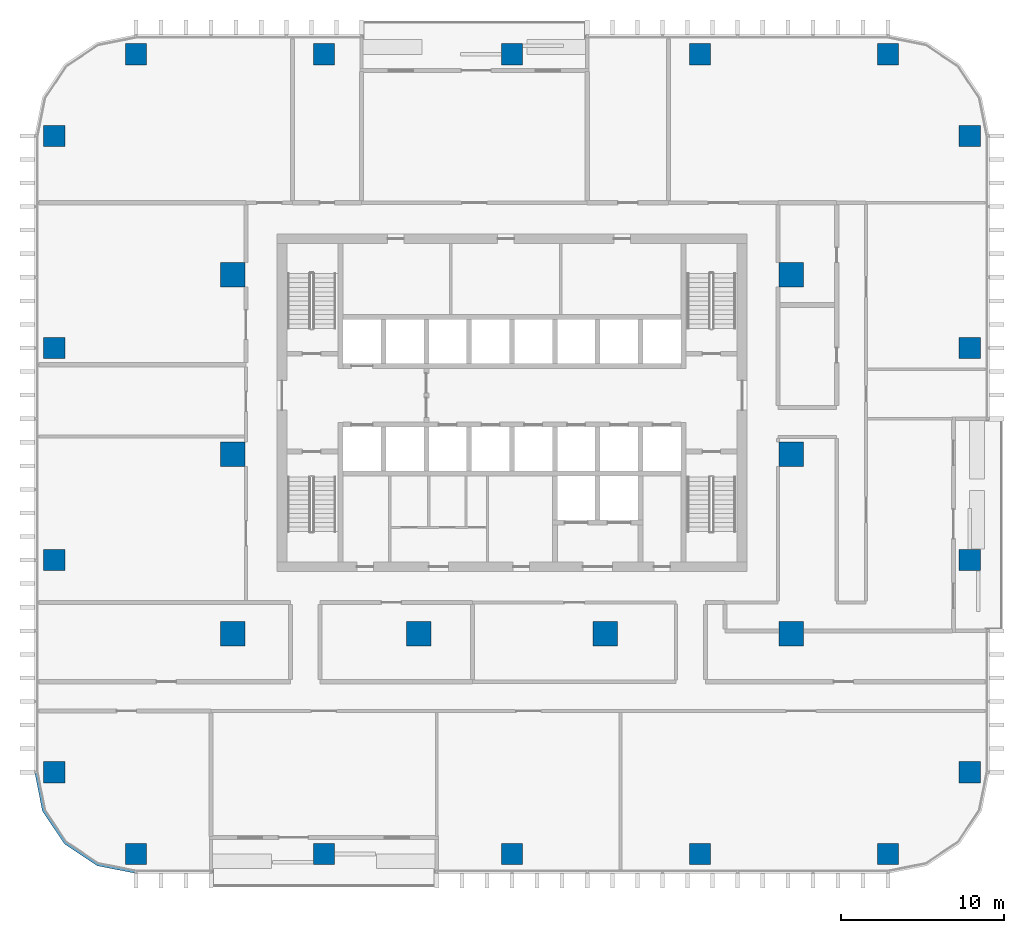
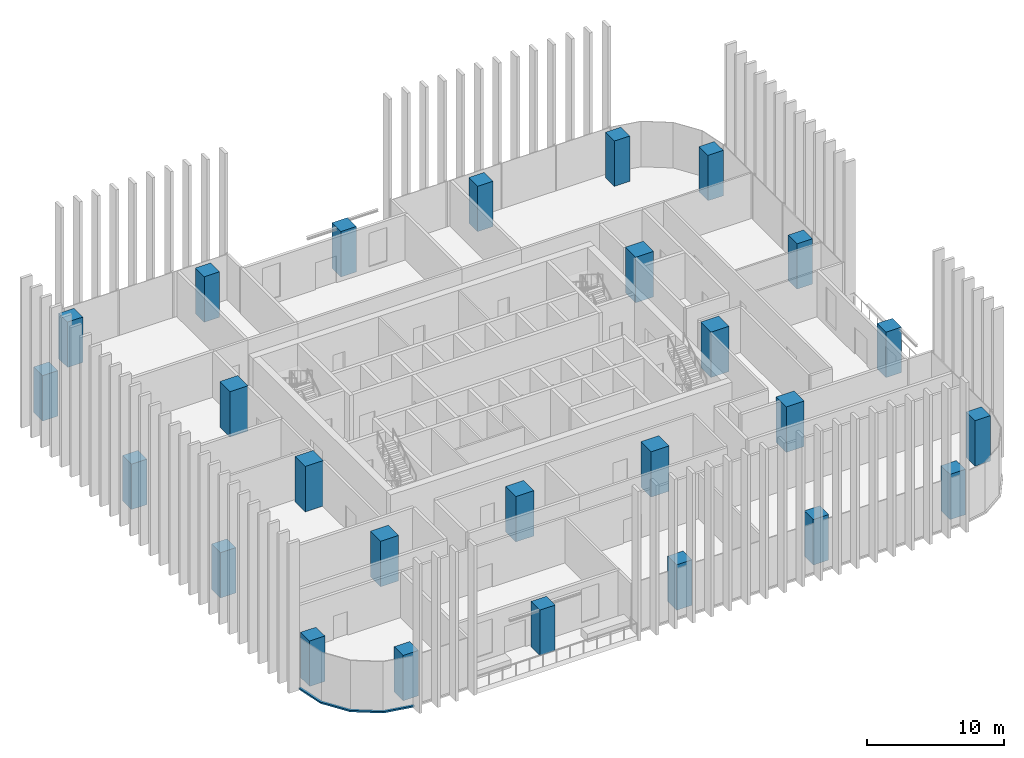
# One storey, part 1 of 17: 26 columns, 1 member, 1 element without a shape of its own.
"""IFC4 building model written with IfcOpenShell, lengths in metres."""

import ifcopenshell
import ifcopenshell.guid

model = None  # the IFC model being written
_history = None  # IfcOwnerHistory: only IFC2X3 demands one
_inside = {}  # id of a spatial element -> (the spatial element, [elements in it])
_under = {}  # id of a project, library or spatial element -> (it, [spatial elements below it])
_declared = {}  # id of a project -> (the project, [libraries it declares])
_typed = {}  # id of a type object -> (the type object, [elements of that type])
_made_of = {}  # id of a material, layer set ... -> (it, [elements and type objects made of it])


def new_model(schema):
    """Start an empty IFC model of exactly this schema.

    Asked for "IFC4X3", IfcOpenShell would pick the latest addendum, in which some entities
    have other attributes; the version numbers below select the first issue.
    IFC2X3 requires an IfcOwnerHistory on every rooted entity: one is made here for all.
    """
    global model, _history
    if schema == "IFC4X3":
        model = ifcopenshell.file(schema_version=(4, 3, 0, 0))
    else:
        model = ifcopenshell.file(schema=schema)
    _inside.clear()
    _under.clear()
    _declared.clear()
    _typed.clear()
    _made_of.clear()
    _history = None
    if model.schema == "IFC2X3":
        org = make("IfcOrganization", Name="unknown")
        user = make(
            "IfcPersonAndOrganization",
            ThePerson=make("IfcPerson", FamilyName="unknown"),
            TheOrganization=org,
        )
        app = make(
            "IfcApplication",
            ApplicationDeveloper=org,
            Version="unknown",
            ApplicationFullName="unknown",
            ApplicationIdentifier="unknown",
        )
        _history = make(
            "IfcOwnerHistory",
            OwningUser=user,
            OwningApplication=app,
            ChangeAction="ADDED",
            CreationDate=0,
        )
    return model


def make(cls, **values):
    """One entity of the class cls with the attributes given. An attribute that is None is left unset."""
    return model.create_entity(
        cls, **{name: value for name, value in values.items() if value is not None}
    )


def rooted(cls, **values):
    """An entity with a GlobalId (a new one), such as an element, a storey or a relation."""
    return make(cls, GlobalId=ifcopenshell.guid.new(), OwnerHistory=_history, **values)


def si_unit(unit_type, name, prefix=None):
    """IfcSIUnit, for example si_unit("LENGTHUNIT", "METRE", prefix="MILLI")."""
    return make("IfcSIUnit", UnitType=unit_type, Prefix=prefix, Name=name)


def assignment(units):
    """IfcUnitAssignment: the units of a project."""
    return None if units is None else make("IfcUnitAssignment", Units=units)


def point(xyz):
    """IfcCartesianPoint."""
    return None if xyz is None else make("IfcCartesianPoint", Coordinates=xyz)


def direction(xyz):
    """IfcDirection."""
    return None if xyz is None else make("IfcDirection", DirectionRatios=xyz)


def frame(location, z_axis=None, x_axis=None):
    """IfcAxis2Placement3D, a coordinate frame: its origin and axes. An axis left out is left unset."""
    return make(
        "IfcAxis2Placement3D",
        Location=point(location),
        Axis=direction(z_axis),
        RefDirection=direction(x_axis),
    )


def frame_2d(location, x_axis=None):
    """IfcAxis2Placement2D, a coordinate frame in the plane: its origin and x axis."""
    return make(
        "IfcAxis2Placement2D", Location=point(location), RefDirection=direction(x_axis)
    )


def origin():
    """The frame at (0, 0, 0) with its axes left unset."""
    return frame((0.0, 0.0, 0.0))


def origin_2d():
    """The frame at (0, 0) in the plane with its x axis left unset."""
    return frame_2d((0.0, 0.0))


def place(relative_to, where):
    """IfcLocalPlacement: puts the frame where relative to a parent placement (None: the world)."""
    return make(
        "IfcLocalPlacement", PlacementRelTo=relative_to, RelativePlacement=where
    )


def context(
    kind, dimensions, precision=None, world=None, true_north=None, identifier=None
):
    """IfcGeometricRepresentationContext, for example the 3D "Model" context."""
    return make(
        "IfcGeometricRepresentationContext",
        ContextIdentifier=identifier,
        ContextType=kind,
        CoordinateSpaceDimension=dimensions,
        Precision=precision,
        WorldCoordinateSystem=world,
        TrueNorth=true_north,
    )


def subcontext(parent, identifier, kind, view, scale=None):
    """IfcGeometricRepresentationSubContext, for example "Body" below "Model"."""
    return make(
        "IfcGeometricRepresentationSubContext",
        ContextIdentifier=identifier,
        ContextType=kind,
        ParentContext=parent,
        TargetScale=scale,
        TargetView=view,
    )


def project(units=None, contexts=None):
    """IfcProject with its units and contexts."""
    return rooted(
        "IfcProject",
        Name="project",
        RepresentationContexts=contexts,
        UnitsInContext=assignment(units),
    )


def spatial(cls, under=None, at=None, **own):
    """A site, building, storey or space (cls), placed at a placement, below another one or the project."""
    s = rooted(cls, ObjectPlacement=at, **own)
    if under is not None:
        _under.setdefault(under.id(), (under, []))[1].append(s)
    return s


def polyline(points):
    """IfcPolyline through the points."""
    return make("IfcPolyline", Points=[point(p) for p in points])


def profile(cls, at=None, kind="AREA", **sizes):
    """A parametric profile (cls). Its sizes go by their IFC names, for example OverallWidth=200.0."""
    return make(cls, ProfileType=kind, Position=at, **sizes)


def rectangle(**sizes):
    """IfcRectangleProfileDef."""
    return profile("IfcRectangleProfileDef", **sizes)


def outline(outer, holes=None, kind="AREA"):
    """IfcArbitraryClosedProfileDef: a profile drawn as a closed curve; with holes, ...WithVoids."""
    if holes is None:
        return make("IfcArbitraryClosedProfileDef", ProfileType=kind, OuterCurve=outer)
    return make(
        "IfcArbitraryProfileDefWithVoids",
        ProfileType=kind,
        OuterCurve=outer,
        InnerCurves=holes,
    )


def extrude(swept, where, along, depth):
    """IfcExtrudedAreaSolid: the profile swept, set in the frame where, extruded along a direction by depth."""
    return make(
        "IfcExtrudedAreaSolid",
        SweptArea=swept,
        Position=where,
        ExtrudedDirection=direction(along),
        Depth=depth,
    )


def shape(context_of_items, identifier, shape_type, items):
    """IfcShapeRepresentation: the items that make up one representation, for example the "Body"."""
    return make(
        "IfcShapeRepresentation",
        ContextOfItems=context_of_items,
        RepresentationIdentifier=identifier,
        RepresentationType=shape_type,
        Items=items,
    )


def material(Name=None, Category=None):
    """IfcMaterial."""
    return make("IfcMaterial", Name=Name, Category=Category)


def material_profile(
    of_material, cross_section, Name=None, Category=None, Priority=None
):
    """IfcMaterialProfile: a cross section and its material."""
    return make(
        "IfcMaterialProfile",
        Name=Name,
        Material=of_material,
        Profile=cross_section,
        Priority=Priority,
        Category=Category,
    )


def profile_set(profiles, Name=None, composite=None):
    """IfcMaterialProfileSet."""
    return make(
        "IfcMaterialProfileSet",
        Name=Name,
        MaterialProfiles=profiles,
        CompositeProfile=composite,
    )


def made_of(thing, what):
    """Note that an element or type object is made of a material, layer set ...; save() writes the relation."""
    if what is not None:
        _made_of.setdefault(what.id(), (what, []))[1].append(thing)
    return thing


def type_object(cls, material=None, **own):
    """A type object (cls), such as IfcWallType, which elements share."""
    return made_of(rooted(cls, **own), material)


def element(
    cls,
    number,
    at=None,
    inside=None,
    cuts=None,
    type_object=None,
    material=None,
    context=None,
    identifier="Body",
    shape_type=None,
    held_by="IfcProductDefinitionShape",
    body=None,
    shapes=None,
    **own,
):
    """One element of the class cls, such as IfcWall. Its Tag is "e" and its number.

    at: its placement. inside: the storey or other place that contains it. cuts: it is an
    opening in that element (IfcRelVoidsElement). A single representation is given by context,
    identifier, shape_type and body (its items); several are given by shapes. held_by: the class
    of the entity that holds the representations. save() writes the other relations.
    """
    e = rooted(cls, Tag="e%d" % number, ObjectPlacement=at, **own)
    if body is not None:
        shapes = [shape(context, identifier, shape_type, body)]
    if shapes is not None:
        e.Representation = make(held_by, Representations=shapes)
    if inside is not None:
        _inside.setdefault(inside.id(), (inside, []))[1].append(e)
    if cuts is not None:
        rooted(
            "IfcRelVoidsElement", RelatingBuildingElement=cuts, RelatedOpeningElement=e
        )
    if type_object is not None:
        _typed.setdefault(type_object.id(), (type_object, []))[1].append(e)
    return made_of(e, material)


def aggregate(whole, parts):
    """IfcRelAggregates: a whole, such as a stair, and the parts it consists of."""
    return rooted("IfcRelAggregates", RelatingObject=whole, RelatedObjects=parts)


def save(model, path):
    """Write the relations noted so far, then the file.

    IfcRelAggregates (storeys below a building ...), IfcRelContainedInSpatialStructure (elements
    in a storey), IfcRelDefinesByType, IfcRelAssociatesMaterial and IfcRelDeclares: one each for
    every whole, place, type object, material and project.
    """
    for whole, parts in _under.values():
        aggregate(whole, parts)
    for where, things in _inside.values():
        rooted(
            "IfcRelContainedInSpatialStructure",
            RelatedElements=things,
            RelatingStructure=where,
        )
    for kind, things in _typed.values():
        rooted("IfcRelDefinesByType", RelatedObjects=things, RelatingType=kind)
    for what, things in _made_of.values():
        rooted("IfcRelAssociatesMaterial", RelatedObjects=things, RelatingMaterial=what)
    for by, libraries in _declared.values():
        rooted("IfcRelDeclares", RelatingContext=by, RelatedDefinitions=libraries)
    model.write(path)


model = new_model("IFC4")

# Units and contexts
model_context = context("Model", 3, precision=1e-05, world=origin(), true_north=direction((0.0, 1.0)))
body_context = subcontext(model_context, "Body", "Model", "MODEL_VIEW")
ifc_project = project(units=[si_unit("LENGTHUNIT", "METRE"), si_unit("AREAUNIT", "SQUARE_METRE"), si_unit("VOLUMEUNIT", "CUBIC_METRE"), si_unit("PLANEANGLEUNIT", "RADIAN"), si_unit("MASSUNIT", "GRAM", prefix="KILO")], contexts=[model_context])

# Site, building, storey
site_placement = place(None, origin())
site = spatial("IfcSite", under=ifc_project, at=site_placement, CompositionType="ELEMENT")
building_placement = place(site_placement, origin())
building = spatial("IfcBuilding", under=site, at=building_placement, Name="Mopane Tessera Tower", CompositionType="ELEMENT")
storey_placement = place(building_placement, frame((0.0, 0.0, 135.10009765625)))
storey = spatial("IfcBuildingStorey", under=building, at=storey_placement, Name="L27", CompositionType="ELEMENT", Elevation=135.10009765625)

# Columns
ifc_material_1 = material(Name="Concrete C60/75", Category="concrete")
ifc_material_profile_1 = material_profile(ifc_material_1, rectangle(XDim=1.5, YDim=1.5, at=origin_2d()))
ifc_profile_set_1 = profile_set([ifc_material_profile_1], Name="Concrete C60/75")
column_type_1 = type_object("IfcColumnType", Name="Interior column 1500 x 1500 C60/75", PredefinedType="COLUMN", material=ifc_profile_set_1)
for number, where, z_axis, x_axis, name in (
    (1, (-17.10009765625, -11.0, 0.0), (0.0, 0.0, 1.0), (1.0, 0.0, 0.0), "Interior column I1A L27"),
    (2, (-17.10009765625, 0.0, 0.0), (0.0, 0.0, 1.0), (1.0, 0.0, 0.0), "Interior column I1B L27"),
    (3, (-17.10009765625, 11.0, 0.0), (0.0, 0.0, 1.0), (1.0, 0.0, 0.0), "Interior column I1C L27"),
    (4, (-5.699951171875, -11.0, 0.0), (0.0, 0.0, 1.0), (1.0, 0.0, 0.0), "Interior column I2A L27"),
    (5, (5.699951171875, -11.0, 0.0), (0.0, 0.0, 1.0), (1.0, 0.0, 0.0), "Interior column I3A L27"),
    (6, (17.10009765625, -11.0, 0.0), (0.0, 0.0, 1.0), (1.0, 0.0, 0.0), "Interior column I4A L27"),
    (7, (17.10009765625, 0.0, 0.0), (0.0, 0.0, 1.0), (1.0, 0.0, 0.0), "Interior column I4B L27"),
    (8, (17.10009765625, 11.0, 0.0), (0.0, 0.0, 1.0), (1.0, 0.0, 0.0), "Interior column I4C L27"),
):
    element("IfcColumn", number, at=place(storey_placement, frame(where, z_axis=z_axis, x_axis=x_axis)), inside=storey, type_object=column_type_1, Name=name, PredefinedType="COLUMN", context=body_context, shape_type="SweptSolid", body=[
        extrude(rectangle(XDim=1.5, YDim=1.5, at=origin_2d()), origin(), (0.0, 0.0, 1.0), 4.0498046875),
    ])
ifc_material_2 = material(Name="Concrete C60/75", Category="concrete")
ifc_material_profile_2 = material_profile(ifc_material_2, rectangle(XDim=1.300048828125, YDim=1.300048828125, at=origin_2d()))
ifc_profile_set_2 = profile_set([ifc_material_profile_2], Name="Concrete C60/75")
column_type_2 = type_object("IfcColumnType", Name="Ring column 1300 x 1300 C60/75", PredefinedType="COLUMN", material=ifc_profile_set_2)
for number, where, z_axis, x_axis, name in (
    (9, (-23.050048828125, -24.5, 0.0), (0.0, 0.0, 1.0), (1.0, 0.0, 0.0), "Ring column S0 L27"),
    (10, (-11.52490234375, -24.5, 0.0), (0.0, 0.0, 1.0), (1.0, 0.0, 0.0), "Ring column S1 L27"),
    (11, (0.0, -24.5, 0.0), (0.0, 0.0, 1.0), (1.0, 0.0, 0.0), "Ring column S2 L27"),
    (12, (11.52490234375, -24.5, 0.0), (0.0, 0.0, 1.0), (1.0, 0.0, 0.0), "Ring column S3 L27"),
    (13, (23.050048828125, -24.5, 0.0), (0.0, 0.0, 1.0), (1.0, 0.0, 0.0), "Ring column S4 L27"),
    (14, (28.050048828125, -19.5, 0.0), (0.0, 0.0, 1.0), (1.0, 0.0, 0.0), "Ring column E0 L27"),
    (15, (28.050048828125, -6.5, 0.0), (0.0, 0.0, 1.0), (1.0, 0.0, 0.0), "Ring column E1 L27"),
    (16, (28.050048828125, 6.5, 0.0), (0.0, 0.0, 1.0), (1.0, 0.0, 0.0), "Ring column E2 L27"),
    (17, (28.050048828125, 19.5, 0.0), (0.0, 0.0, 1.0), (1.0, 0.0, 0.0), "Ring column E3 L27"),
    (18, (23.050048828125, 24.5, 0.0), (0.0, 0.0, 1.0), (1.0, 0.0, 0.0), "Ring column N0 L27"),
    (19, (11.52490234375, 24.5, 0.0), (0.0, 0.0, 1.0), (1.0, 0.0, 0.0), "Ring column N1 L27"),
    (20, (0.0, 24.5, 0.0), (0.0, 0.0, 1.0), (1.0, 0.0, 0.0), "Ring column N2 L27"),
    (21, (-11.52490234375, 24.5, 0.0), (0.0, 0.0, 1.0), (1.0, 0.0, 0.0), "Ring column N3 L27"),
    (22, (-23.050048828125, 24.5, 0.0), (0.0, 0.0, 1.0), (1.0, 0.0, 0.0), "Ring column N4 L27"),
    (23, (-28.050048828125, 19.5, 0.0), (0.0, 0.0, 1.0), (1.0, 0.0, 0.0), "Ring column W0 L27"),
    (24, (-28.050048828125, 6.5, 0.0), (0.0, 0.0, 1.0), (1.0, 0.0, 0.0), "Ring column W1 L27"),
    (25, (-28.050048828125, -6.5, 0.0), (0.0, 0.0, 1.0), (1.0, 0.0, 0.0), "Ring column W2 L27"),
    (26, (-28.050048828125, -19.5, 0.0), (0.0, 0.0, 1.0), (1.0, 0.0, 0.0), "Ring column W3 L27"),
):
    element("IfcColumn", number, at=place(storey_placement, frame(where, z_axis=z_axis, x_axis=x_axis)), inside=storey, type_object=column_type_2, Name=name, PredefinedType="COLUMN", context=body_context, shape_type="SweptSolid", body=[
        extrude(rectangle(XDim=1.300048828125, YDim=1.300048828125, at=origin_2d()), origin(), (0.0, 0.0, 1.0), 4.0498046875),
    ])

# Curtain wall, member
ifc_material_3 = material(Name="Aluminium frame", Category="aluminium")
curtain_wall_type = type_object("IfcCurtainWallType", Name="Lower tower unitised wall", PredefinedType="NOTDEFINED", material=ifc_material_3)
curtain_wall_placement = place(storey_placement, origin())
curtain_wall = element("IfcCurtainWall", 27, at=curtain_wall_placement, inside=storey, type_object=curtain_wall_type, Name="e:cw:L27:CW", PredefinedType="NOTDEFINED")
ifc_material_4 = material(Name="Aluminium frame", Category="aluminium")
ifc_material_profile_3 = material_profile(ifc_material_4, rectangle(XDim=0.199951171875, YDim=0.139892578125, at=origin_2d()))
ifc_profile_set_3 = profile_set([ifc_material_profile_3], Name="Aluminium frame")
member_type = type_object("IfcMemberType", Name="Aluminium transom 200 x 140", PredefinedType="USERDEFINED", material=ifc_profile_set_3)
member_placement = place(storey_placement, frame((0.0, 0.0, -0.4501953125)))
member = element("IfcMember", 28, at=member_placement, type_object=member_type, Name="e:cw:L27:CW:tr", ObjectType="TRANSOM", PredefinedType="USERDEFINED", context=body_context, shape_type="SweptSolid", body=[
    extrude(outline(polyline([(-29.050048828125, -19.5), (-28.59326171875, -21.796142578125), (-27.292724609375, -23.74267578125), (-25.34619140625, -25.043212890625), (-23.050048828125, -25.5), (-23.050048828125, -25.699951171875), (-25.422607421875, -25.22802734375), (-27.43408203125, -23.884033203125), (-28.778076171875, -21.87255859375), (-29.25, -19.5), (-29.050048828125, -19.5)])), origin(), (0.0, 0.0, 1.0), 0.14013671875),
])
aggregate(curtain_wall, [member])

save(model, "model.ifc")
